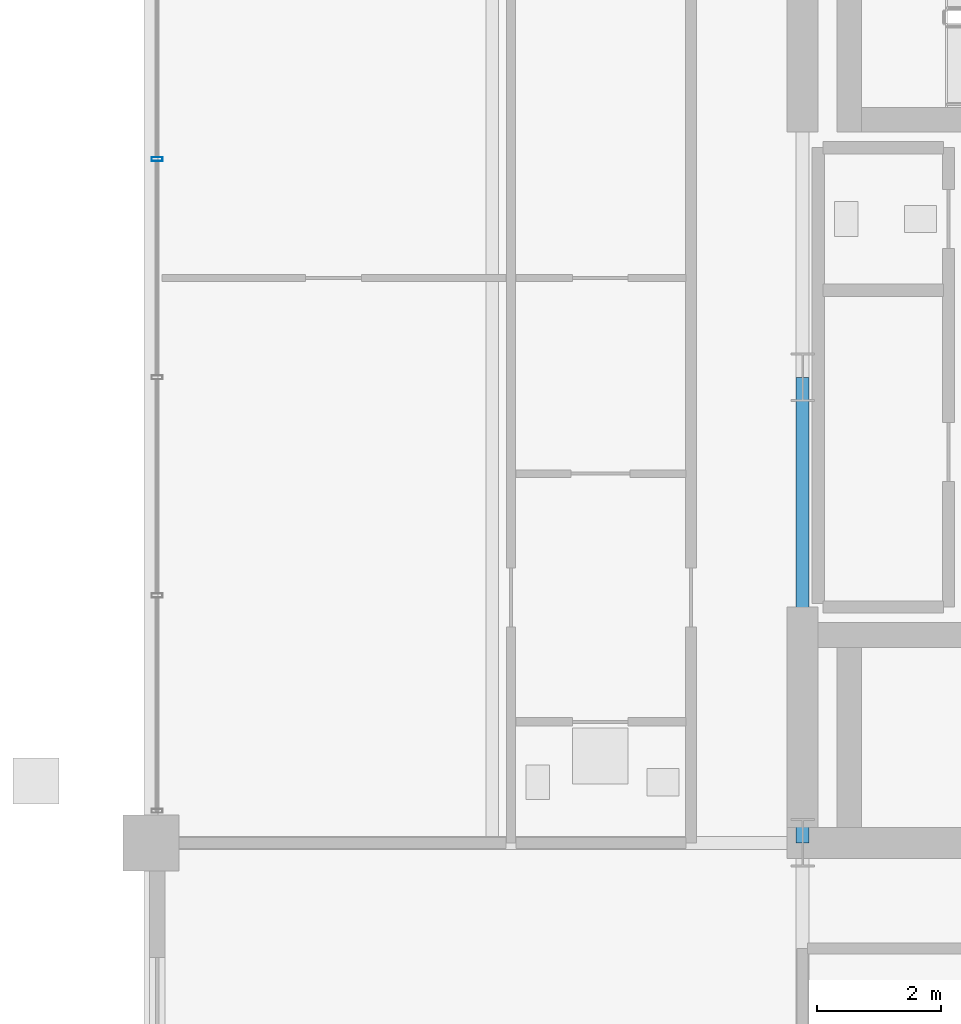
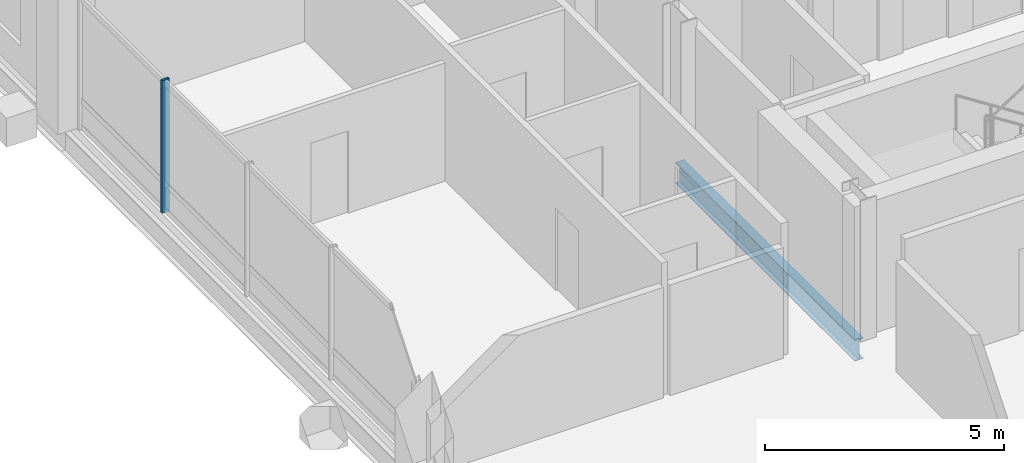
# One storey, part 7 of 21: 1 beam, 1 member, 1 element without a shape of its own.
"""IFC4 building model written with IfcOpenShell, lengths in metres."""

from ifc_helpers import new_model, si_unit, direction, frame, origin, origin_2d, place, context, subcontext, project, spatial, hollow_rectangle, i_section, extrude, material, layer, layer_set, material_profile, profile_set, type_object, element, aggregate, save


model = new_model("IFC4")

# Units and contexts
model_context = context("Model", 3, precision=1e-05, world=origin(), true_north=direction((0.0, 1.0)))
body_context = subcontext(model_context, "Body", "Model", "MODEL_VIEW")
ifc_project = project(units=[si_unit("LENGTHUNIT", "METRE"), si_unit("AREAUNIT", "SQUARE_METRE"), si_unit("VOLUMEUNIT", "CUBIC_METRE"), si_unit("PLANEANGLEUNIT", "RADIAN"), si_unit("MASSUNIT", "GRAM", prefix="KILO")], contexts=[model_context])

# Site, building, storey
site_placement = place(None, origin())
site = spatial("IfcSite", under=ifc_project, at=site_placement, CompositionType="ELEMENT")
building_placement = place(site_placement, origin())
building = spatial("IfcBuilding", under=site, at=building_placement, Name="Barlavira Tower and Art Museum", CompositionType="ELEMENT")
storey_placement = place(building_placement, frame((0.0, 0.0, 222.300048828125)))
storey = spatial("IfcBuildingStorey", under=building, at=storey_placement, Name="L57", CompositionType="ELEMENT", Elevation=222.300048828125)

# Curtain wall, member
ifc_material_1 = material(Name="Low-iron coastal laminated glass", Category="glass")
ifc_layer = layer(ifc_material_1, 0.2099609375, Name="Low-iron coastal laminated glass")
ifc_layer_set = layer_set([ifc_layer], Name="Low-iron coastal laminated glass")
curtain_wall_type = type_object("IfcCurtainWallType", Name="Pale-Metal Unitised Curtain Wall Zone 4", PredefinedType="NOTDEFINED", material=ifc_layer_set)
curtain_wall_placement = place(storey_placement, origin())
curtain_wall = element("IfcCurtainWall", 1, at=curtain_wall_placement, inside=storey, type_object=curtain_wall_type, Name="L57 Curtain Wall CW4-L57-W-B3", PredefinedType="NOTDEFINED")
ifc_material_2 = material(Name="Pale anodised aluminium", Category="aluminium")
ifc_material_profile_1 = material_profile(ifc_material_2, hollow_rectangle(XDim=0.06494140625, YDim=0.179931640625, WallThickness=0.00390625, at=origin_2d()), Name="ALU-MULL 65x180x4")
ifc_profile_set_1 = profile_set([ifc_material_profile_1], Name="Pale anodised aluminium")
member_type = type_object("IfcMemberType", Name="Curtain Wall Pale-Metal Mullion 65x180", PredefinedType="MULLION", material=ifc_profile_set_1)
member_placement = place(storey_placement, frame((-16.89990234375, 3.514892578125, 0.0), z_axis=(0.0, 0.0, 1.0), x_axis=(0.0, -1.0, 0.0)))
member = element("IfcMember", 2, at=member_placement, type_object=member_type, Name="CW4-L57-W-B3 Mullion 1", PredefinedType="MULLION", context=body_context, shape_type="SweptSolid", body=[
    extrude(hollow_rectangle(XDim=0.06494140625, YDim=0.179931640625, WallThickness=0.00390625, at=origin_2d()), origin(), (0.0, 0.0, 1.0), 3.3798828125),
])
aggregate(curtain_wall, [member])

# Beam
ifc_material_3 = material(Name="Steel S355", Category="steel")
ifc_material_profile_2 = material_profile(ifc_material_3, i_section(OverallWidth=0.2109375, OverallDepth=0.5390625, WebThickness=0.01171875, FlangeThickness=0.018798828125, at=origin_2d()), Name="W530x109.0")
ifc_profile_set_2 = profile_set([ifc_material_profile_2], Name="Steel S355")
beam_type = type_object("IfcBeamType", Name="Zone 3-4 Primary Floor Girder W530x109 Steel S355", PredefinedType="BEAM", material=ifc_profile_set_2)
beam_placement = place(storey_placement, frame((-6.5, -7.5, -0.489501953125), z_axis=(0.0, 1.0, 0.0), x_axis=(-1.0, 0.0, 0.0)))
element("IfcBeam", 3, at=beam_placement, inside=storey, type_object=beam_type, Name="L57 Girder C-W1", PredefinedType="BEAM", context=body_context, shape_type="SweptSolid", body=[
    extrude(i_section(OverallWidth=0.2109375, OverallDepth=0.5390625, WebThickness=0.01171875, FlangeThickness=0.018798828125, at=origin_2d()), origin(), (0.0, 0.0, 1.0), 7.5),
])

save(model, "model.ifc")
